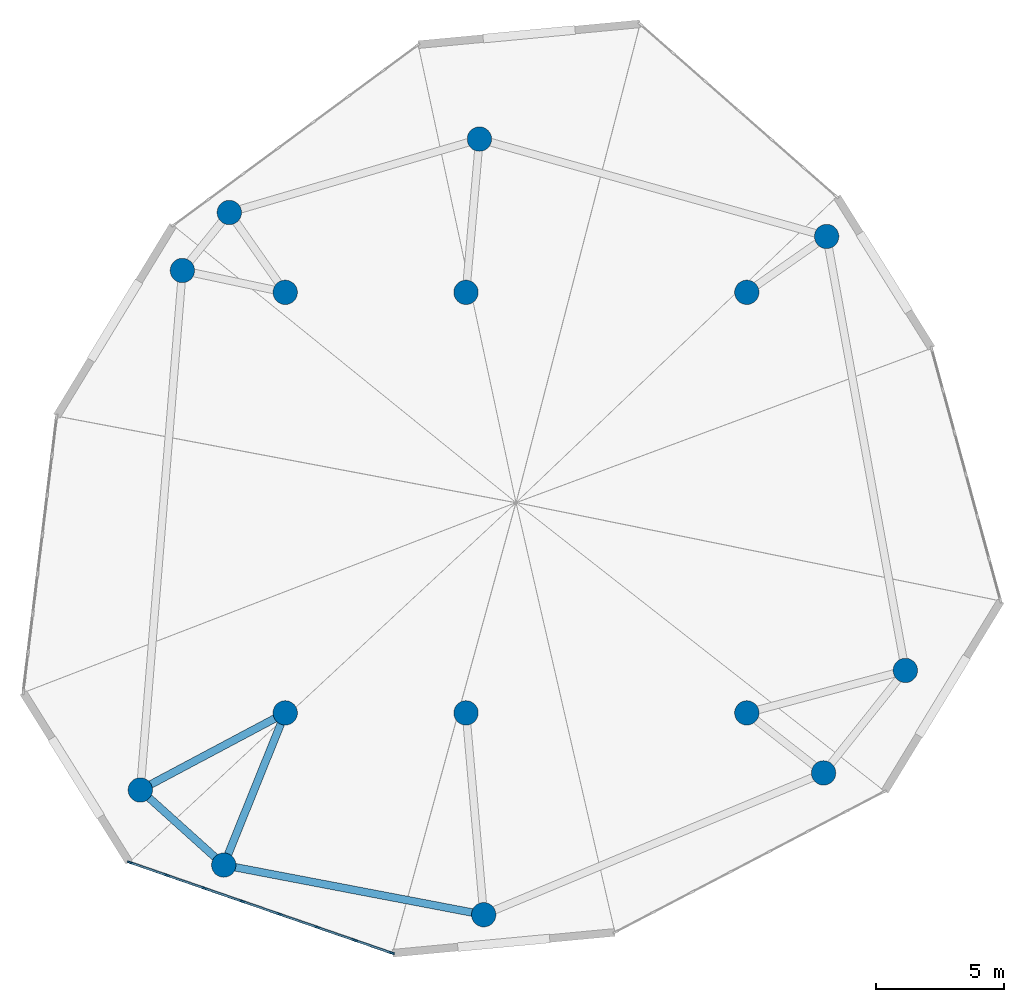
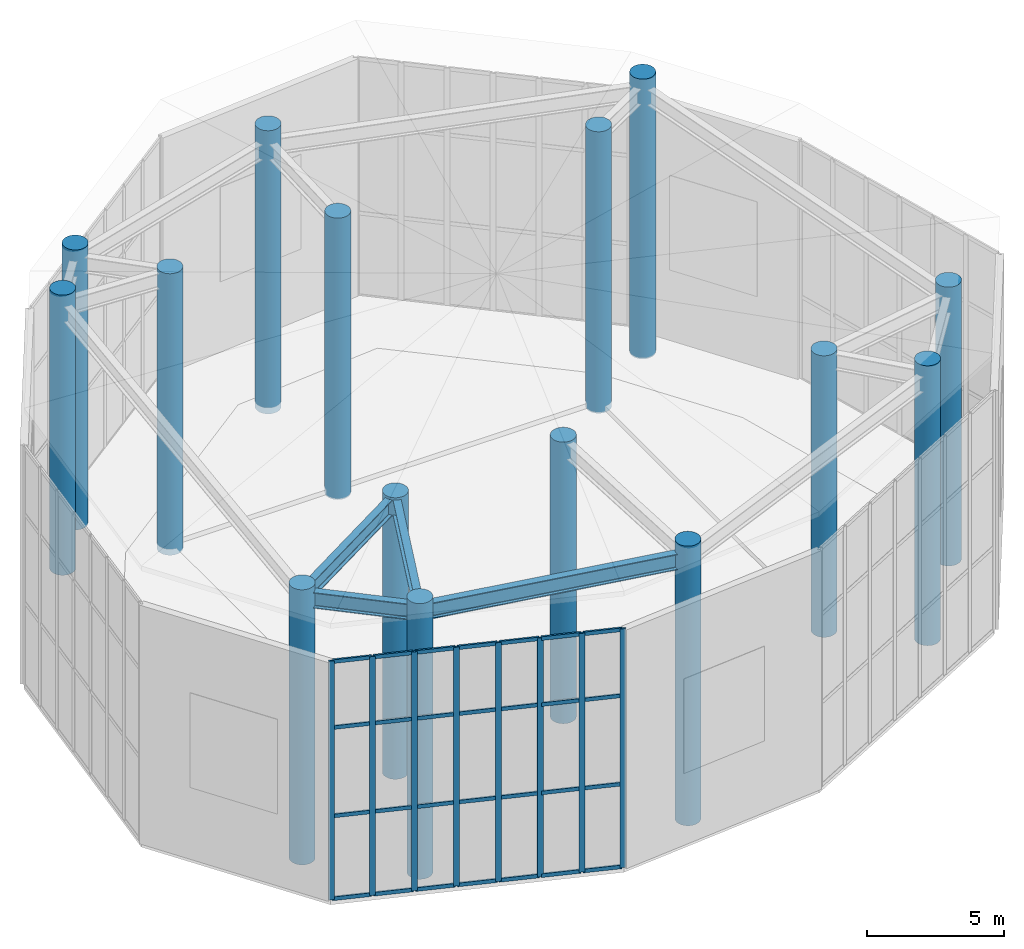
# One storey, part 1 of 8: 36 members, 15 columns, 4 beams, 1 element without a shape of its own.
"""IFC4 building model written with IfcOpenShell, lengths in metres."""

from ifc_helpers import new_model, si_unit, direction, frame, origin, origin_with_axes, origin_2d, place, context, subcontext, project, spatial, rectangle, circle, i_section, extrude, source, transform, mapped, material, layer, layer_set, material_profile, profile_set, type_object, element, aggregate, save


model = new_model("IFC4")

# Units and contexts
model_context = context("Model", 3, precision=1e-05, world=origin(), true_north=direction((0.0, 1.0)))
body_context = subcontext(model_context, "Body", "Model", "MODEL_VIEW")
ifc_project = project(units=[si_unit("LENGTHUNIT", "METRE"), si_unit("AREAUNIT", "SQUARE_METRE"), si_unit("VOLUMEUNIT", "CUBIC_METRE"), si_unit("PLANEANGLEUNIT", "RADIAN"), si_unit("MASSUNIT", "GRAM", prefix="KILO")], contexts=[model_context])

# Site, building, storey
site_placement = place(None, origin())
site = spatial("IfcSite", under=ifc_project, at=site_placement, CompositionType="ELEMENT")
building_placement = place(site_placement, origin())
building = spatial("IfcBuilding", under=site, at=building_placement, Name="Karkom Vertical University and Central Library", CompositionType="ELEMENT")
storey_placement = place(building_placement, frame((0.0, 0.0, 290.0)))
storey = spatial("IfcBuildingStorey", under=building, at=storey_placement, Name="R82", CompositionType="ELEMENT", Elevation=290.0)

# Columns
ifc_material_1 = material(Name="Concrete C45/55", Category="concrete")
ifc_material_profile_1 = material_profile(ifc_material_1, circle(Radius=0.47509765625, at=origin_2d()), Name="CFT-D950")
ifc_profile_set_1 = profile_set([ifc_material_profile_1], Name="Concrete C45/55")
column_type = type_object("IfcColumnType", Name="STR-COL-C-CRN", PredefinedType="COLUMN", material=ifc_profile_set_1)
shared_shape_1 = source(origin_with_axes(), body_context, "Body", "SweptSolid", [
    extrude(circle(Radius=0.47509765625, at=origin_2d()), origin(), (0.0, 0.0, 1.0), 12.376953125),
])
column_1_placement = place(storey_placement, frame((43.681884765625, 19.9560546875, 0.0), z_axis=(0.0, 0.0, 1.0), x_axis=(1.0, 0.0, 0.0)))
element("IfcColumn", 1, at=column_1_placement, inside=storey, type_object=column_type, Name="Roof Level 82 Crown Ring Column Z4-PC1", PredefinedType="COLUMN", context=body_context, shape_type="MappedRepresentation", body=[
    mapped(shared_shape_1, transform((0.0, 0.0, 0.0), scale=1.0)),
])
shared_shape_2 = source(origin_with_axes(), body_context, "Body", "SweptSolid", [
    extrude(circle(Radius=0.47509765625, at=origin_2d()), origin(), (0.0, 0.0, 1.0), 12.427001953125),
])
column_2_placement = place(storey_placement, frame((40.613037109375, 36.8798828125, 0.0), z_axis=(0.0, 0.0, 1.0), x_axis=(1.0, 0.0, 0.0)))
element("IfcColumn", 2, at=column_2_placement, inside=storey, type_object=column_type, Name="Roof Level 82 Crown Ring Column Z4-PC2", PredefinedType="COLUMN", context=body_context, shape_type="MappedRepresentation", body=[
    mapped(shared_shape_2, transform((0.0, 0.0, 0.0), scale=1.0)),
])
shared_shape_3 = source(origin_with_axes(), body_context, "Body", "SweptSolid", [
    extrude(circle(Radius=0.47509765625, at=origin_2d()), origin(), (0.0, 0.0, 1.0), 12.572021484375),
])
column_3_placement = place(storey_placement, frame((27.072998046875, 40.677001953125, 0.0), z_axis=(0.0, 0.0, 1.0), x_axis=(1.0, 0.0, 0.0)))
element("IfcColumn", 3, at=column_3_placement, inside=storey, type_object=column_type, Name="Roof Level 82 Crown Ring Column Z4-PC3", PredefinedType="COLUMN", context=body_context, shape_type="MappedRepresentation", body=[
    mapped(shared_shape_3, transform((0.0, 0.0, 0.0), scale=1.0)),
])
shared_shape_4 = source(origin_with_axes(), body_context, "Body", "SweptSolid", [
    extrude(circle(Radius=0.47509765625, at=origin_2d()), origin(), (0.0, 0.0, 1.0), 12.430908203125),
])
column_4_placement = place(storey_placement, frame((17.320068359375, 37.81298828125, 0.0), z_axis=(0.0, 0.0, 1.0), x_axis=(1.0, 0.0, 0.0)))
element("IfcColumn", 4, at=column_4_placement, inside=storey, type_object=column_type, Name="Roof Level 82 Crown Ring Column Z4-PC4", PredefinedType="COLUMN", context=body_context, shape_type="MappedRepresentation", body=[
    mapped(shared_shape_4, transform((0.0, 0.0, 0.0), scale=1.0)),
])
shared_shape_5 = source(origin_with_axes(), body_context, "Body", "SweptSolid", [
    extrude(circle(Radius=0.47509765625, at=origin_2d()), origin(), (0.0, 0.0, 1.0), 12.43603515625),
])
column_5_placement = place(storey_placement, frame((15.489990234375, 35.552001953125, 0.0), z_axis=(0.0, 0.0, 1.0), x_axis=(1.0, 0.0, 0.0)))
element("IfcColumn", 5, at=column_5_placement, inside=storey, type_object=column_type, Name="Roof Level 82 Crown Ring Column Z4-PC5", PredefinedType="COLUMN", context=body_context, shape_type="MappedRepresentation", body=[
    mapped(shared_shape_5, transform((0.0, 0.0, 0.0), scale=1.0)),
])
shared_shape_6 = source(origin_with_axes(), body_context, "Body", "SweptSolid", [
    extrude(circle(Radius=0.47509765625, at=origin_2d()), origin(), (0.0, 0.0, 1.0), 12.214111328125),
])
column_6_placement = place(storey_placement, frame((13.84912109375, 15.294921875, 0.0), z_axis=(0.0, 0.0, 1.0), x_axis=(1.0, 0.0, 0.0)))
element("IfcColumn", 6, at=column_6_placement, inside=storey, type_object=column_type, Name="Roof Level 82 Crown Ring Column Z4-PC6", PredefinedType="COLUMN", context=body_context, shape_type="MappedRepresentation", body=[
    mapped(shared_shape_6, transform((0.0, 0.0, 0.0), scale=1.0)),
])
shared_shape_7 = source(origin_with_axes(), body_context, "Body", "SweptSolid", [
    extrude(circle(Radius=0.47509765625, at=origin_2d()), origin(), (0.0, 0.0, 1.0), 12.238037109375),
])
column_7_placement = place(storey_placement, frame((17.10302734375, 12.365966796875, 0.0), z_axis=(0.0, 0.0, 1.0), x_axis=(1.0, 0.0, 0.0)))
element("IfcColumn", 7, at=column_7_placement, inside=storey, type_object=column_type, Name="Roof Level 82 Crown Ring Column Z4-PC7", PredefinedType="COLUMN", context=body_context, shape_type="MappedRepresentation", body=[
    mapped(shared_shape_7, transform((0.0, 0.0, 0.0), scale=1.0)),
])
shared_shape_8 = source(origin_with_axes(), body_context, "Body", "SweptSolid", [
    extrude(circle(Radius=0.47509765625, at=origin_2d()), origin(), (0.0, 0.0, 1.0), 12.4130859375),
])
column_8_placement = place(storey_placement, frame((27.239013671875, 10.429931640625, 0.0), z_axis=(0.0, 0.0, 1.0), x_axis=(1.0, 0.0, 0.0)))
element("IfcColumn", 8, at=column_8_placement, inside=storey, type_object=column_type, Name="Roof Level 82 Crown Ring Column Z4-PC8", PredefinedType="COLUMN", context=body_context, shape_type="MappedRepresentation", body=[
    mapped(shared_shape_8, transform((0.0, 0.0, 0.0), scale=1.0)),
])
shared_shape_9 = source(origin_with_axes(), body_context, "Body", "SweptSolid", [
    extrude(circle(Radius=0.47509765625, at=origin_2d()), origin(), (0.0, 0.0, 1.0), 12.426025390625),
])
column_9_placement = place(storey_placement, frame((40.493896484375, 15.9599609375, 0.0), z_axis=(0.0, 0.0, 1.0), x_axis=(1.0, 0.0, 0.0)))
element("IfcColumn", 9, at=column_9_placement, inside=storey, type_object=column_type, Name="Roof Level 82 Crown Ring Column Z4-PC9", PredefinedType="COLUMN", context=body_context, shape_type="MappedRepresentation", body=[
    mapped(shared_shape_9, transform((0.0, 0.0, 0.0), scale=1.0)),
])
shared_shape_10 = source(origin_with_axes(), body_context, "Body", "SweptSolid", [
    extrude(circle(Radius=0.47509765625, at=origin_2d()), origin(), (0.0, 0.0, 1.0), 12.5),
])
for number, where, z_axis, x_axis, name in (
    (10, (19.5, 18.300048828125, 0.0), (0.0, 0.0, 1.0), (1.0, 0.0, 0.0), "Roof Level 82 Crown Spine Column SC-1"),
    (11, (26.550048828125, 18.300048828125, 0.0), (0.0, 0.0, 1.0), (1.0, 0.0, 0.0), "Roof Level 82 Crown Spine Column SC-2"),
    (12, (37.5, 18.300048828125, 0.0), (0.0, 0.0, 1.0), (1.0, 0.0, 0.0), "Roof Level 82 Crown Spine Column SC-3"),
    (13, (19.5, 34.699951171875, 0.0), (0.0, 0.0, 1.0), (1.0, 0.0, 0.0), "Roof Level 82 Crown Spine Column SC-4"),
    (14, (26.550048828125, 34.699951171875, 0.0), (0.0, 0.0, 1.0), (1.0, 0.0, 0.0), "Roof Level 82 Crown Spine Column SC-5"),
    (15, (37.5, 34.699951171875, 0.0), (0.0, 0.0, 1.0), (1.0, 0.0, 0.0), "Roof Level 82 Crown Spine Column SC-6"),
):
    element("IfcColumn", number, at=place(storey_placement, frame(where, z_axis=z_axis, x_axis=x_axis)), inside=storey, type_object=column_type, Name=name, PredefinedType="COLUMN", context=body_context, shape_type="MappedRepresentation", body=[
        mapped(shared_shape_10, transform((0.0, 0.0, 0.0), scale=1.0)),
    ])

# Beams
ifc_material_2 = material(Name="Steel S355", Category="steel")
ifc_material_profile_2 = material_profile(ifc_material_2, i_section(OverallWidth=0.300048828125, OverallDepth=0.699951171875, WebThickness=0.01708984375, FlangeThickness=0.031982421875, FilletRadius=0.027099609375, at=origin_2d()), Name="HE 700 B")
ifc_profile_set_2 = profile_set([ifc_material_profile_2], Name="Steel S355")
beam_type = type_object("IfcBeamType", Name="STR-BM-SB-HE700", PredefinedType="USERDEFINED", material=ifc_profile_set_2)
shared_shape_11 = source(origin_with_axes(), body_context, "Body", "SweptSolid", [
    extrude(i_section(OverallWidth=0.300048828125, OverallDepth=0.699951171875, WebThickness=0.01708984375, FlangeThickness=0.031982421875, FilletRadius=0.027099609375, at=origin_2d()), origin(), (0.0, 0.0, 1.0), 4.3779296875),
])
beam_1_placement = place(storey_placement, frame((13.84912109375, 15.294921875, 11.580078125), z_axis=(0.743244232405, -0.669020187287, 0.0), x_axis=(0.669020187287, 0.743244232405, 0.0)))
element("IfcBeam", 16, at=beam_1_placement, inside=storey, type_object=beam_type, Name="Roof Level 82 Crown Top Cap Ring Beam 06", ObjectType="GIRDER", PredefinedType="USERDEFINED", context=body_context, shape_type="MappedRepresentation", body=[
    mapped(shared_shape_11, transform((0.0, 0.0, 0.0), scale=1.0)),
])
shared_shape_12 = source(origin_with_axes(), body_context, "Body", "SweptSolid", [
    extrude(i_section(OverallWidth=0.300048828125, OverallDepth=0.699951171875, WebThickness=0.01708984375, FlangeThickness=0.031982421875, FilletRadius=0.027099609375, at=origin_2d()), origin(), (0.0, 0.0, 1.0), 10.3193359375),
])
beam_2_placement = place(storey_placement, frame((17.10302734375, 12.365966796875, 11.580078125), z_axis=(0.982242767385, -0.187614354249, 0.0), x_axis=(0.187614354249, 0.982242767385, 0.0)))
element("IfcBeam", 17, at=beam_2_placement, inside=storey, type_object=beam_type, Name="Roof Level 82 Crown Top Cap Ring Beam 07", ObjectType="GIRDER", PredefinedType="USERDEFINED", context=body_context, shape_type="MappedRepresentation", body=[
    mapped(shared_shape_12, transform((0.0, 0.0, 0.0), scale=1.0)),
])
shared_shape_13 = source(origin_with_axes(), body_context, "Body", "SweptSolid", [
    extrude(i_section(OverallWidth=0.300048828125, OverallDepth=0.699951171875, WebThickness=0.01708984375, FlangeThickness=0.031982421875, FilletRadius=0.027099609375, at=origin_2d()), origin(), (0.0, 0.0, 1.0), 6.41943359375),
])
beam_3_placement = place(storey_placement, frame((19.5, 18.300048828125, 12.080078125), z_axis=(-0.373394620191, -0.924396989036, -0.077888794271), x_axis=(0.927213815183, -0.374532429749, 0.0)))
element("IfcBeam", 18, at=beam_3_placement, inside=storey, type_object=beam_type, Name="Roof Level 82 Crown Rafter Girder 07", ObjectType="GIRDER", PredefinedType="USERDEFINED", context=body_context, shape_type="MappedRepresentation", body=[
    mapped(shared_shape_13, transform((0.0, 0.0, 0.0), scale=1.0)),
])
shared_shape_14 = source(origin_with_axes(), body_context, "Body", "SweptSolid", [
    extrude(i_section(OverallWidth=0.300048828125, OverallDepth=0.699951171875, WebThickness=0.01708984375, FlangeThickness=0.031982421875, FilletRadius=0.027099609375, at=origin_2d()), origin(), (0.0, 0.0, 1.0), 6.419677734375),
])
beam_4_placement = place(storey_placement, frame((19.5, 18.300048828125, 12.080078125), z_axis=(-0.880233159424, -0.468106366515, -0.077884624147), x_axis=(0.469532628645, -0.882915120857, 0.0)))
element("IfcBeam", 19, at=beam_4_placement, inside=storey, type_object=beam_type, Name="Roof Level 82 Crown Rafter Girder 06", ObjectType="GIRDER", PredefinedType="USERDEFINED", context=body_context, shape_type="MappedRepresentation", body=[
    mapped(shared_shape_14, transform((0.0, 0.0, 0.0), scale=1.0)),
])

# Curtain wall, members
ifc_material_3 = material(Name="Aluminium curtain-wall framing and low-E IGU", Category="aluminium")
ifc_layer = layer(ifc_material_3, 0.199951171875)
ifc_layer_set = layer_set([ifc_layer], Name="Aluminium curtain-wall framing and low-E IGU")
curtain_wall_type = type_object("IfcCurtainWallType", Name="ENV-CW-6", PredefinedType="USERDEFINED", material=ifc_layer_set)
curtain_wall_placement = place(storey_placement, origin())
curtain_wall = element("IfcCurtainWall", 20, at=curtain_wall_placement, inside=storey, type_object=curtain_wall_type, Name="Roof Level 82 CW-6 Curtain Wall R82-CW6-02", ObjectType="UNITISED GLAZING", PredefinedType="USERDEFINED")
ifc_material_4 = material(Name="Anodised Aluminium 6063-T6", Category="aluminium")
ifc_material_profile_3 = material_profile(ifc_material_4, rectangle(XDim=0.074951171875, YDim=0.219970703125, at=origin_2d()), Name="ALU-M75x220")
ifc_profile_set_3 = profile_set([ifc_material_profile_3], Name="Anodised Aluminium 6063-T6")
member_type_1 = type_object("IfcMemberType", Name="ENV-MEM-ALU-M75x220", PredefinedType="MULLION", material=ifc_profile_set_3)
shared_shape_15 = source(origin_with_axes(), body_context, "Body", "SweptSolid", [
    extrude(rectangle(XDim=0.074951171875, YDim=0.219970703125, at=origin_2d()), origin(), (0.0, 0.0, 1.0), 10.60009765625),
])
member_1_placement = place(storey_placement, frame((13.44921875, 12.466552734375, 0.0), z_axis=(0.0, 0.0, 1.0), x_axis=(0.32682330889, 0.945085458975, 0.0)))
member_1 = element("IfcMember", 21, at=member_1_placement, type_object=member_type_1, Name="CW-6 mullion 1", PredefinedType="MULLION", context=body_context, shape_type="MappedRepresentation", body=[
    mapped(shared_shape_15, transform((0.0, 0.0, 0.0), scale=1.0)),
])
member_2_placement = place(storey_placement, frame((14.88134765625, 11.971435546875, 0.0), z_axis=(0.0, 0.0, 1.0), x_axis=(0.32682330889, 0.945085458975, 0.0)))
member_2 = element("IfcMember", 22, at=member_2_placement, type_object=member_type_1, Name="CW-6 mullion 2", PredefinedType="MULLION", context=body_context, shape_type="MappedRepresentation", body=[
    mapped(shared_shape_15, transform((0.0, 0.0, 0.0), scale=1.0)),
])
member_3_placement = place(storey_placement, frame((16.348876953125, 11.4638671875, 0.0), z_axis=(0.0, 0.0, 1.0), x_axis=(0.32682330889, 0.945085458975, 0.0)))
member_3 = element("IfcMember", 23, at=member_3_placement, type_object=member_type_1, Name="CW-6 mullion 3", PredefinedType="MULLION", context=body_context, shape_type="MappedRepresentation", body=[
    mapped(shared_shape_15, transform((0.0, 0.0, 0.0), scale=1.0)),
])
member_4_placement = place(storey_placement, frame((17.81640625, 10.95654296875, 0.0), z_axis=(0.0, 0.0, 1.0), x_axis=(0.32682330889, 0.945085458975, 0.0)))
member_4 = element("IfcMember", 24, at=member_4_placement, type_object=member_type_1, Name="CW-6 mullion 4", PredefinedType="MULLION", context=body_context, shape_type="MappedRepresentation", body=[
    mapped(shared_shape_15, transform((0.0, 0.0, 0.0), scale=1.0)),
])
member_5_placement = place(storey_placement, frame((19.28369140625, 10.448974609375, 0.0), z_axis=(0.0, 0.0, 1.0), x_axis=(0.32682330889, 0.945085458975, 0.0)))
member_5 = element("IfcMember", 25, at=member_5_placement, type_object=member_type_1, Name="CW-6 mullion 5", PredefinedType="MULLION", context=body_context, shape_type="MappedRepresentation", body=[
    mapped(shared_shape_15, transform((0.0, 0.0, 0.0), scale=1.0)),
])
member_6_placement = place(storey_placement, frame((20.751220703125, 9.941650390625, 0.0), z_axis=(0.0, 0.0, 1.0), x_axis=(0.32682330889, 0.945085458975, 0.0)))
member_6 = element("IfcMember", 26, at=member_6_placement, type_object=member_type_1, Name="CW-6 mullion 6", PredefinedType="MULLION", context=body_context, shape_type="MappedRepresentation", body=[
    mapped(shared_shape_15, transform((0.0, 0.0, 0.0), scale=1.0)),
])
member_7_placement = place(storey_placement, frame((22.21875, 9.43408203125, 0.0), z_axis=(0.0, 0.0, 1.0), x_axis=(0.32682330889, 0.945085458975, 0.0)))
member_7 = element("IfcMember", 27, at=member_7_placement, type_object=member_type_1, Name="CW-6 mullion 7", PredefinedType="MULLION", context=body_context, shape_type="MappedRepresentation", body=[
    mapped(shared_shape_15, transform((0.0, 0.0, 0.0), scale=1.0)),
])
member_8_placement = place(storey_placement, frame((23.65087890625, 8.93896484375, 0.0), z_axis=(0.0, 0.0, 1.0), x_axis=(0.32682330889, 0.945085458975, 0.0)))
member_8 = element("IfcMember", 28, at=member_8_placement, type_object=member_type_1, Name="CW-6 mullion 8", PredefinedType="MULLION", context=body_context, shape_type="MappedRepresentation", body=[
    mapped(shared_shape_15, transform((0.0, 0.0, 0.0), scale=1.0)),
])
ifc_material_profile_4 = material_profile(ifc_material_4, rectangle(XDim=0.074951171875, YDim=0.1650390625, at=origin_2d()), Name="ALU-T75x165")
ifc_profile_set_4 = profile_set([ifc_material_profile_4], Name="Anodised Aluminium 6063-T6")
member_type_2 = type_object("IfcMemberType", Name="ENV-MEM-ALU-T75x165", PredefinedType="USERDEFINED", material=ifc_profile_set_4)
shared_shape_16 = source(origin_with_axes(), body_context, "Body", "SweptSolid", [
    extrude(rectangle(XDim=0.074951171875, YDim=0.1650390625, at=origin_2d()), origin(), (0.0, 0.0, 1.0), 1.440185546875),
])
member_9_placement = place(storey_placement, frame((13.48486328125, 12.454345703125, 0.03759765625), z_axis=(0.945080759673, -0.326836897695, 0.0), x_axis=(0.326836897695, 0.945080759673, 0.0)))
member_9 = element("IfcMember", 29, at=member_9_placement, type_object=member_type_2, Name="CW-6 transom 1.1", ObjectType="TRANSOM", PredefinedType="USERDEFINED", context=body_context, shape_type="MappedRepresentation", body=[
    mapped(shared_shape_16, transform((0.0, 0.0, 0.0), scale=1.0)),
])
member_10_placement = place(storey_placement, frame((13.48486328125, 12.454345703125, 3.7099609375), z_axis=(0.945080759673, -0.326836897695, 0.0), x_axis=(0.326836897695, 0.945080759673, 0.0)))
member_10 = element("IfcMember", 30, at=member_10_placement, type_object=member_type_2, Name="CW-6 transom 1.2", ObjectType="TRANSOM", PredefinedType="USERDEFINED", context=body_context, shape_type="MappedRepresentation", body=[
    mapped(shared_shape_16, transform((0.0, 0.0, 0.0), scale=1.0)),
])
member_11_placement = place(storey_placement, frame((13.48486328125, 12.454345703125, 7.632080078125), z_axis=(0.945080759673, -0.326836897695, 0.0), x_axis=(0.326836897695, 0.945080759673, 0.0)))
member_11 = element("IfcMember", 31, at=member_11_placement, type_object=member_type_2, Name="CW-6 transom 1.3", ObjectType="TRANSOM", PredefinedType="USERDEFINED", context=body_context, shape_type="MappedRepresentation", body=[
    mapped(shared_shape_16, transform((0.0, 0.0, 0.0), scale=1.0)),
])
member_12_placement = place(storey_placement, frame((13.48486328125, 12.454345703125, 10.5625), z_axis=(0.945080759673, -0.326836897695, 0.0), x_axis=(0.326836897695, 0.945080759673, 0.0)))
member_12 = element("IfcMember", 32, at=member_12_placement, type_object=member_type_2, Name="CW-6 transom 1.4", ObjectType="TRANSOM", PredefinedType="USERDEFINED", context=body_context, shape_type="MappedRepresentation", body=[
    mapped(shared_shape_16, transform((0.0, 0.0, 0.0), scale=1.0)),
])
member_13_placement = place(storey_placement, frame((22.254150390625, 9.421875, 0.03759765625), z_axis=(0.945080759673, -0.326836897695, 0.0), x_axis=(0.326836897695, 0.945080759673, 0.0)))
member_13 = element("IfcMember", 33, at=member_13_placement, type_object=member_type_2, Name="CW-6 transom 7.1", ObjectType="TRANSOM", PredefinedType="USERDEFINED", context=body_context, shape_type="MappedRepresentation", body=[
    mapped(shared_shape_16, transform((0.0, 0.0, 0.0), scale=1.0)),
])
member_14_placement = place(storey_placement, frame((22.254150390625, 9.421875, 3.7099609375), z_axis=(0.945080759673, -0.326836897695, 0.0), x_axis=(0.326836897695, 0.945080759673, 0.0)))
member_14 = element("IfcMember", 34, at=member_14_placement, type_object=member_type_2, Name="CW-6 transom 7.2", ObjectType="TRANSOM", PredefinedType="USERDEFINED", context=body_context, shape_type="MappedRepresentation", body=[
    mapped(shared_shape_16, transform((0.0, 0.0, 0.0), scale=1.0)),
])
member_15_placement = place(storey_placement, frame((22.254150390625, 9.421875, 7.632080078125), z_axis=(0.945080759673, -0.326836897695, 0.0), x_axis=(0.326836897695, 0.945080759673, 0.0)))
member_15 = element("IfcMember", 35, at=member_15_placement, type_object=member_type_2, Name="CW-6 transom 7.3", ObjectType="TRANSOM", PredefinedType="USERDEFINED", context=body_context, shape_type="MappedRepresentation", body=[
    mapped(shared_shape_16, transform((0.0, 0.0, 0.0), scale=1.0)),
])
member_16_placement = place(storey_placement, frame((22.254150390625, 9.421875, 10.5625), z_axis=(0.945080759673, -0.326836897695, 0.0), x_axis=(0.326836897695, 0.945080759673, 0.0)))
member_16 = element("IfcMember", 36, at=member_16_placement, type_object=member_type_2, Name="CW-6 transom 7.4", ObjectType="TRANSOM", PredefinedType="USERDEFINED", context=body_context, shape_type="MappedRepresentation", body=[
    mapped(shared_shape_16, transform((0.0, 0.0, 0.0), scale=1.0)),
])
shared_shape_17 = source(origin_with_axes(), body_context, "Body", "SweptSolid", [
    extrude(rectangle(XDim=0.074951171875, YDim=0.1650390625, at=origin_2d()), origin(), (0.0, 0.0, 1.0), 1.477783203125),
])
member_17_placement = place(storey_placement, frame((14.916748046875, 11.959228515625, 0.03759765625), z_axis=(0.945105817818, -0.326764430632, 0.0), x_axis=(0.326764430632, 0.945105817818, 0.0)))
member_17 = element("IfcMember", 37, at=member_17_placement, type_object=member_type_2, Name="CW-6 transom 2.1", ObjectType="TRANSOM", PredefinedType="USERDEFINED", context=body_context, shape_type="MappedRepresentation", body=[
    mapped(shared_shape_17, transform((0.0, 0.0, 0.0), scale=1.0)),
])
member_18_placement = place(storey_placement, frame((14.916748046875, 11.959228515625, 3.7099609375), z_axis=(0.945105817818, -0.326764430632, 0.0), x_axis=(0.326764430632, 0.945105817818, 0.0)))
member_18 = element("IfcMember", 38, at=member_18_placement, type_object=member_type_2, Name="CW-6 transom 2.2", ObjectType="TRANSOM", PredefinedType="USERDEFINED", context=body_context, shape_type="MappedRepresentation", body=[
    mapped(shared_shape_17, transform((0.0, 0.0, 0.0), scale=1.0)),
])
member_19_placement = place(storey_placement, frame((14.916748046875, 11.959228515625, 7.632080078125), z_axis=(0.945105817818, -0.326764430632, 0.0), x_axis=(0.326764430632, 0.945105817818, 0.0)))
member_19 = element("IfcMember", 39, at=member_19_placement, type_object=member_type_2, Name="CW-6 transom 2.3", ObjectType="TRANSOM", PredefinedType="USERDEFINED", context=body_context, shape_type="MappedRepresentation", body=[
    mapped(shared_shape_17, transform((0.0, 0.0, 0.0), scale=1.0)),
])
member_20_placement = place(storey_placement, frame((14.916748046875, 11.959228515625, 10.5625), z_axis=(0.945105817818, -0.326764430632, 0.0), x_axis=(0.326764430632, 0.945105817818, 0.0)))
member_20 = element("IfcMember", 40, at=member_20_placement, type_object=member_type_2, Name="CW-6 transom 2.4", ObjectType="TRANSOM", PredefinedType="USERDEFINED", context=body_context, shape_type="MappedRepresentation", body=[
    mapped(shared_shape_17, transform((0.0, 0.0, 0.0), scale=1.0)),
])
member_21_placement = place(storey_placement, frame((17.851806640625, 10.9443359375, 0.03759765625), z_axis=(0.945037132742, -0.326963021975, 0.0), x_axis=(0.326963021975, 0.945037132742, 0.0)))
member_21 = element("IfcMember", 41, at=member_21_placement, type_object=member_type_2, Name="CW-6 transom 4.1", ObjectType="TRANSOM", PredefinedType="USERDEFINED", context=body_context, shape_type="MappedRepresentation", body=[
    mapped(shared_shape_17, transform((0.0, 0.0, 0.0), scale=1.0)),
])
member_22_placement = place(storey_placement, frame((17.851806640625, 10.9443359375, 3.7099609375), z_axis=(0.945037132742, -0.326963021975, 0.0), x_axis=(0.326963021975, 0.945037132742, 0.0)))
member_22 = element("IfcMember", 42, at=member_22_placement, type_object=member_type_2, Name="CW-6 transom 4.2", ObjectType="TRANSOM", PredefinedType="USERDEFINED", context=body_context, shape_type="MappedRepresentation", body=[
    mapped(shared_shape_17, transform((0.0, 0.0, 0.0), scale=1.0)),
])
member_23_placement = place(storey_placement, frame((17.851806640625, 10.9443359375, 7.632080078125), z_axis=(0.945037132742, -0.326963021975, 0.0), x_axis=(0.326963021975, 0.945037132742, 0.0)))
member_23 = element("IfcMember", 43, at=member_23_placement, type_object=member_type_2, Name="CW-6 transom 4.3", ObjectType="TRANSOM", PredefinedType="USERDEFINED", context=body_context, shape_type="MappedRepresentation", body=[
    mapped(shared_shape_17, transform((0.0, 0.0, 0.0), scale=1.0)),
])
member_24_placement = place(storey_placement, frame((17.851806640625, 10.9443359375, 10.5625), z_axis=(0.945037132742, -0.326963021975, 0.0), x_axis=(0.326963021975, 0.945037132742, 0.0)))
member_24 = element("IfcMember", 44, at=member_24_placement, type_object=member_type_2, Name="CW-6 transom 4.4", ObjectType="TRANSOM", PredefinedType="USERDEFINED", context=body_context, shape_type="MappedRepresentation", body=[
    mapped(shared_shape_17, transform((0.0, 0.0, 0.0), scale=1.0)),
])
member_25_placement = place(storey_placement, frame((20.78662109375, 9.92919921875, 0.03759765625), z_axis=(0.945105817818, -0.326764430632, 0.0), x_axis=(0.326764430632, 0.945105817818, 0.0)))
member_25 = element("IfcMember", 45, at=member_25_placement, type_object=member_type_2, Name="CW-6 transom 6.1", ObjectType="TRANSOM", PredefinedType="USERDEFINED", context=body_context, shape_type="MappedRepresentation", body=[
    mapped(shared_shape_17, transform((0.0, 0.0, 0.0), scale=1.0)),
])
member_26_placement = place(storey_placement, frame((20.78662109375, 9.92919921875, 3.7099609375), z_axis=(0.945105817818, -0.326764430632, 0.0), x_axis=(0.326764430632, 0.945105817818, 0.0)))
member_26 = element("IfcMember", 46, at=member_26_placement, type_object=member_type_2, Name="CW-6 transom 6.2", ObjectType="TRANSOM", PredefinedType="USERDEFINED", context=body_context, shape_type="MappedRepresentation", body=[
    mapped(shared_shape_17, transform((0.0, 0.0, 0.0), scale=1.0)),
])
member_27_placement = place(storey_placement, frame((20.78662109375, 9.92919921875, 7.632080078125), z_axis=(0.945105817818, -0.326764430632, 0.0), x_axis=(0.326764430632, 0.945105817818, 0.0)))
member_27 = element("IfcMember", 47, at=member_27_placement, type_object=member_type_2, Name="CW-6 transom 6.3", ObjectType="TRANSOM", PredefinedType="USERDEFINED", context=body_context, shape_type="MappedRepresentation", body=[
    mapped(shared_shape_17, transform((0.0, 0.0, 0.0), scale=1.0)),
])
member_28_placement = place(storey_placement, frame((20.78662109375, 9.92919921875, 10.5625), z_axis=(0.945105817818, -0.326764430632, 0.0), x_axis=(0.326764430632, 0.945105817818, 0.0)))
member_28 = element("IfcMember", 48, at=member_28_placement, type_object=member_type_2, Name="CW-6 transom 6.4", ObjectType="TRANSOM", PredefinedType="USERDEFINED", context=body_context, shape_type="MappedRepresentation", body=[
    mapped(shared_shape_17, transform((0.0, 0.0, 0.0), scale=1.0)),
])
shared_shape_18 = source(origin_with_axes(), body_context, "Body", "SweptSolid", [
    extrude(rectangle(XDim=0.074951171875, YDim=0.1650390625, at=origin_2d()), origin(), (0.0, 0.0, 1.0), 1.4775390625),
])
member_29_placement = place(storey_placement, frame((16.38427734375, 11.45166015625, 0.03759765625), z_axis=(0.945088174521, -0.326815456154, 0.0), x_axis=(0.326815456154, 0.945088174521, 0.0)))
member_29 = element("IfcMember", 49, at=member_29_placement, type_object=member_type_2, Name="CW-6 transom 3.1", ObjectType="TRANSOM", PredefinedType="USERDEFINED", context=body_context, shape_type="MappedRepresentation", body=[
    mapped(shared_shape_18, transform((0.0, 0.0, 0.0), scale=1.0)),
])
member_30_placement = place(storey_placement, frame((16.38427734375, 11.45166015625, 3.7099609375), z_axis=(0.945088174521, -0.326815456154, 0.0), x_axis=(0.326815456154, 0.945088174521, 0.0)))
member_30 = element("IfcMember", 50, at=member_30_placement, type_object=member_type_2, Name="CW-6 transom 3.2", ObjectType="TRANSOM", PredefinedType="USERDEFINED", context=body_context, shape_type="MappedRepresentation", body=[
    mapped(shared_shape_18, transform((0.0, 0.0, 0.0), scale=1.0)),
])
member_31_placement = place(storey_placement, frame((16.38427734375, 11.45166015625, 7.632080078125), z_axis=(0.945088174521, -0.326815456154, 0.0), x_axis=(0.326815456154, 0.945088174521, 0.0)))
member_31 = element("IfcMember", 51, at=member_31_placement, type_object=member_type_2, Name="CW-6 transom 3.3", ObjectType="TRANSOM", PredefinedType="USERDEFINED", context=body_context, shape_type="MappedRepresentation", body=[
    mapped(shared_shape_18, transform((0.0, 0.0, 0.0), scale=1.0)),
])
member_32_placement = place(storey_placement, frame((16.38427734375, 11.45166015625, 10.5625), z_axis=(0.945088174521, -0.326815456154, 0.0), x_axis=(0.326815456154, 0.945088174521, 0.0)))
member_32 = element("IfcMember", 52, at=member_32_placement, type_object=member_type_2, Name="CW-6 transom 3.4", ObjectType="TRANSOM", PredefinedType="USERDEFINED", context=body_context, shape_type="MappedRepresentation", body=[
    mapped(shared_shape_18, transform((0.0, 0.0, 0.0), scale=1.0)),
])
member_33_placement = place(storey_placement, frame((19.3193359375, 10.436767578125, 0.03759765625), z_axis=(0.945088174521, -0.326815456154, 0.0), x_axis=(0.326815456154, 0.945088174521, 0.0)))
member_33 = element("IfcMember", 53, at=member_33_placement, type_object=member_type_2, Name="CW-6 transom 5.1", ObjectType="TRANSOM", PredefinedType="USERDEFINED", context=body_context, shape_type="MappedRepresentation", body=[
    mapped(shared_shape_18, transform((0.0, 0.0, 0.0), scale=1.0)),
])
member_34_placement = place(storey_placement, frame((19.3193359375, 10.436767578125, 3.7099609375), z_axis=(0.945088174521, -0.326815456154, 0.0), x_axis=(0.326815456154, 0.945088174521, 0.0)))
member_34 = element("IfcMember", 54, at=member_34_placement, type_object=member_type_2, Name="CW-6 transom 5.2", ObjectType="TRANSOM", PredefinedType="USERDEFINED", context=body_context, shape_type="MappedRepresentation", body=[
    mapped(shared_shape_18, transform((0.0, 0.0, 0.0), scale=1.0)),
])
member_35_placement = place(storey_placement, frame((19.3193359375, 10.436767578125, 7.632080078125), z_axis=(0.945088174521, -0.326815456154, 0.0), x_axis=(0.326815456154, 0.945088174521, 0.0)))
member_35 = element("IfcMember", 55, at=member_35_placement, type_object=member_type_2, Name="CW-6 transom 5.3", ObjectType="TRANSOM", PredefinedType="USERDEFINED", context=body_context, shape_type="MappedRepresentation", body=[
    mapped(shared_shape_18, transform((0.0, 0.0, 0.0), scale=1.0)),
])
member_36_placement = place(storey_placement, frame((19.3193359375, 10.436767578125, 10.5625), z_axis=(0.945088174521, -0.326815456154, 0.0), x_axis=(0.326815456154, 0.945088174521, 0.0)))
member_36 = element("IfcMember", 56, at=member_36_placement, type_object=member_type_2, Name="CW-6 transom 5.4", ObjectType="TRANSOM", PredefinedType="USERDEFINED", context=body_context, shape_type="MappedRepresentation", body=[
    mapped(shared_shape_18, transform((0.0, 0.0, 0.0), scale=1.0)),
])
aggregate(curtain_wall, [member_1, member_2, member_3, member_4, member_5, member_6, member_7, member_8, member_9, member_10, member_11, member_12, member_17, member_18, member_19, member_20, member_29, member_30, member_31, member_32, member_21, member_22, member_23, member_24, member_33, member_34, member_35, member_36, member_25, member_26, member_27, member_28, member_13, member_14, member_15, member_16])

save(model, "model.ifc")
